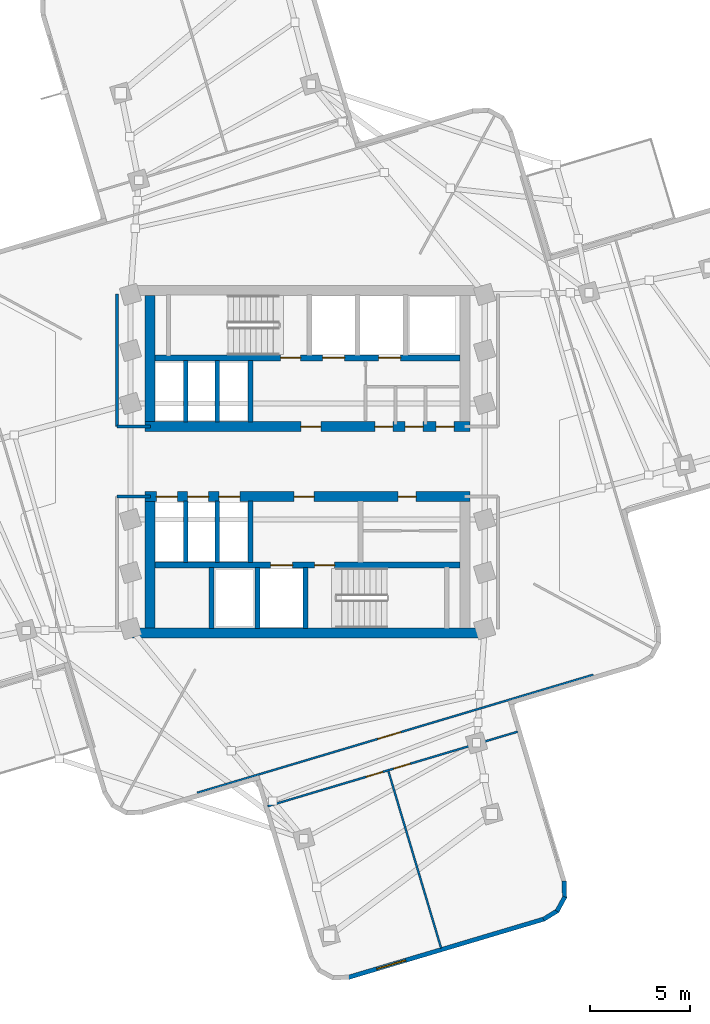
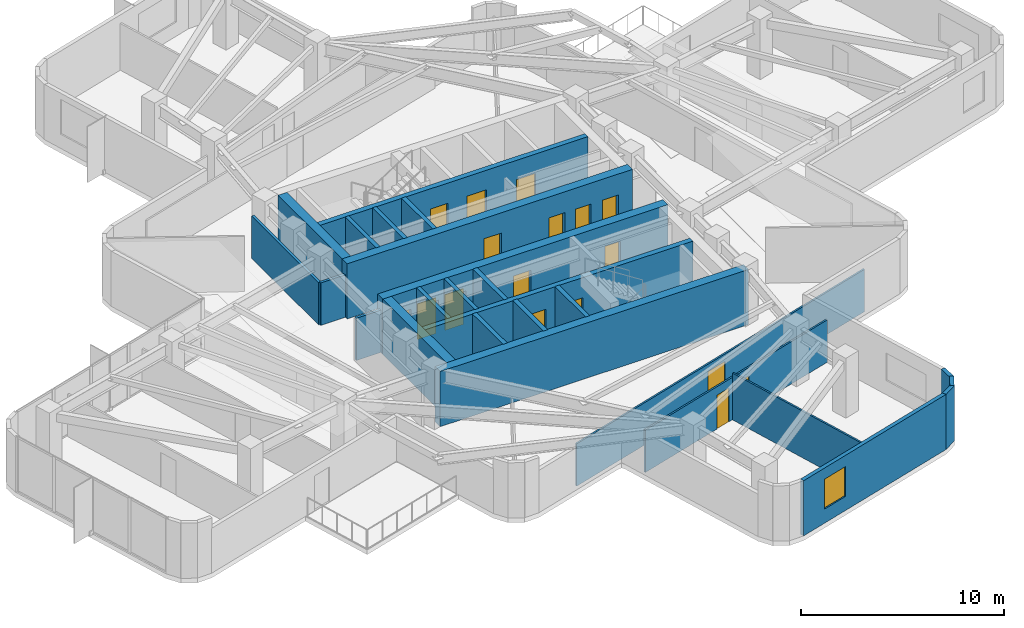
# One storey, part 6 of 11: 26 walls, 17 doors, 1 window, 18 openings.
"""IFC4 building model written with IfcOpenShell, lengths in metres."""

from ifc_helpers import new_model, si_unit, direction, frame, frame_2d, origin, place, context, subcontext, project, spatial, rectangle, extrude, material, layer, layer_set, type_object, element, fill, save


model = new_model("IFC4")

# Units and contexts
model_context = context("Model", 3, precision=1e-05, world=origin(), true_north=direction((0.0, 1.0)))
body_context = subcontext(model_context, "Body", "Model", "MODEL_VIEW")
ifc_project = project(units=[si_unit("LENGTHUNIT", "METRE"), si_unit("AREAUNIT", "SQUARE_METRE"), si_unit("VOLUMEUNIT", "CUBIC_METRE"), si_unit("PLANEANGLEUNIT", "RADIAN"), si_unit("MASSUNIT", "GRAM", prefix="KILO")], contexts=[model_context])

# Site, building, storey
site_placement = place(None, origin())
site = spatial("IfcSite", under=ifc_project, at=site_placement, CompositionType="ELEMENT")
building_placement = place(site_placement, origin())
building = spatial("IfcBuilding", under=site, at=building_placement, Name="Solmarez Civic Tower", CompositionType="ELEMENT")
storey_placement = place(building_placement, frame((0.0, 0.0, 141.47998046875)))
storey = spatial("IfcBuildingStorey", under=building, at=storey_placement, Name="L37", CompositionType="ELEMENT", Elevation=141.47998046875)

# Wall, openings, doors
ifc_material_1 = material(Name="Concrete C60/75", Category="concrete")
ifc_layer_1 = layer(ifc_material_1, 0.5)
ifc_layer_set_1 = layer_set([ifc_layer_1], Name="Concrete C60/75")
wall_type_1 = type_object("IfcWallType", Name="WALL-CORE-500", PredefinedType="SHEAR", material=ifc_layer_set_1)
wall_1_placement = place(storey_placement, frame((8.1201171875, 1.75, 0.0), z_axis=(0.0, 0.0, 1.0), x_axis=(-1.0, 0.0, 0.0)))
wall_1 = element("IfcWall", 1, at=wall_1_placement, inside=storey, type_object=wall_type_1, Name="L37 Split-Core Structural Wall NCW-S-L37", PredefinedType="SHEAR", context=body_context, shape_type="SweptSolid", body=[
    extrude(rectangle(XDim=16.240234375, YDim=0.5, at=frame_2d((8.1201171875, 0.0))), origin(), (0.0, 0.0, 1.0), 3.320068359375),
])
opening_1_placement = place(wall_1_placement, frame((7.449951171875, 0.0, 0.0)))
opening_1 = element("IfcOpeningElement", 2, at=opening_1_placement, cuts=wall_1, Name="Opening D-04", PredefinedType="OPENING", context=body_context, shape_type="SweptSolid", body=[
    extrude(rectangle(XDim=1.0, YDim=2.10009765625, at=frame_2d((0.5, 1.050048828125))), frame((0.0, 0.260009765625, 0.0), z_axis=(0.0, -1.0, 0.0), x_axis=(1.0, 0.0, 0.0)), (0.0, 0.0, 1.0), 0.52001953125),
])
opening_2_placement = place(wall_1_placement, frame((3.85009765625, 0.0, 0.0)))
opening_2 = element("IfcOpeningElement", 3, at=opening_2_placement, cuts=wall_1, Name="Opening D-09", PredefinedType="OPENING", context=body_context, shape_type="SweptSolid", body=[
    extrude(rectangle(XDim=0.89990234375, YDim=2.06005859375, at=frame_2d((0.449951171875, 1.030029296875))), frame((0.0, 0.260009765625, 0.0), z_axis=(0.0, -1.0, 0.0), x_axis=(1.0, 0.0, 0.0)), (0.0, 0.0, 1.0), 0.52001953125),
])
opening_3_placement = place(wall_1_placement, frame((2.35009765625, 0.0, 0.0)))
opening_3 = element("IfcOpeningElement", 4, at=opening_3_placement, cuts=wall_1, Name="Opening D-09", PredefinedType="OPENING", context=body_context, shape_type="SweptSolid", body=[
    extrude(rectangle(XDim=0.89990234375, YDim=2.06005859375, at=frame_2d((0.449951171875, 1.030029296875))), frame((0.0, 0.260009765625, 0.0), z_axis=(0.0, -1.0, 0.0), x_axis=(1.0, 0.0, 0.0)), (0.0, 0.0, 1.0), 0.52001953125),
])
opening_4_placement = place(wall_1_placement, frame((0.800048828125, 0.0, 0.0)))
opening_4 = element("IfcOpeningElement", 5, at=opening_4_placement, cuts=wall_1, Name="Opening D-09", PredefinedType="OPENING", context=body_context, shape_type="SweptSolid", body=[
    extrude(rectangle(XDim=0.89990234375, YDim=2.06005859375, at=frame_2d((0.449951171875, 1.030029296875))), frame((0.0, 0.260009765625, 0.0), z_axis=(0.0, -1.0, 0.0), x_axis=(1.0, 0.0, 0.0)), (0.0, 0.0, 1.0), 0.52001953125),
])
ifc_material_2 = material(Name="Steel-Faced Acoustic Fire Door", Category="steel")
door_type_1 = type_object("IfcDoorType", Name="DOOR-FD60-1000", OperationType="NOTDEFINED", PredefinedType="DOOR", material=ifc_material_2)
door_1_placement = place(opening_1_placement, origin())
door_1 = element("IfcDoor", 6, at=door_1_placement, inside=storey, type_object=door_type_1, Name="L37 North Firefighting Lobby Door", OperationType="SINGLE_SWING_RIGHT", OverallHeight=2.10009765625, OverallWidth=1.0, PredefinedType="DOOR", context=body_context, shape_type="SweptSolid", body=[
    extrude(rectangle(XDim=1.0, YDim=2.10009765625, at=frame_2d((0.5, 1.050048828125))), frame((0.0, 0.02490234375, 0.0), z_axis=(0.0, -1.0, 0.0), x_axis=(1.0, 0.0, 0.0)), (0.0, 0.0, 1.0), 0.050048828125),
])
fill(opening_1, door_1)
ifc_material_3 = material(Name="Fire-Rated Service Core Door", Category="wood")
door_type_2 = type_object("IfcDoorType", Name="DOOR-FD60-900", OperationType="NOTDEFINED", PredefinedType="DOOR", material=ifc_material_3)
door_2_placement = place(opening_2_placement, origin())
door_2 = element("IfcDoor", 7, at=door_2_placement, inside=storey, type_object=door_type_2, Name="L37 Core WC Door", OperationType="SINGLE_SWING_RIGHT", OverallHeight=2.06005859375, OverallWidth=0.89990234375, PredefinedType="DOOR", context=body_context, shape_type="SweptSolid", body=[
    extrude(rectangle(XDim=0.89990234375, YDim=2.06005859375, at=frame_2d((0.449951171875, 1.030029296875))), frame((0.0, 0.02490234375, 0.0), z_axis=(0.0, -1.0, 0.0), x_axis=(1.0, 0.0, 0.0)), (0.0, 0.0, 1.0), 0.050048828125),
])
fill(opening_2, door_2)
door_3_placement = place(opening_3_placement, origin())
door_3 = element("IfcDoor", 8, at=door_3_placement, inside=storey, type_object=door_type_2, Name="L37 Core CL Door", OperationType="SINGLE_SWING_LEFT", OverallHeight=2.06005859375, OverallWidth=0.89990234375, PredefinedType="DOOR", context=body_context, shape_type="SweptSolid", body=[
    extrude(rectangle(XDim=0.89990234375, YDim=2.06005859375, at=frame_2d((0.449951171875, 1.030029296875))), frame((0.0, 0.02490234375, 0.0), z_axis=(0.0, -1.0, 0.0), x_axis=(1.0, 0.0, 0.0)), (0.0, 0.0, 1.0), 0.050048828125),
])
fill(opening_3, door_3)
door_4_placement = place(opening_4_placement, origin())
door_4 = element("IfcDoor", 9, at=door_4_placement, inside=storey, type_object=door_type_2, Name="L37 Core IT Door", OperationType="SINGLE_SWING_LEFT", OverallHeight=2.06005859375, OverallWidth=0.89990234375, PredefinedType="DOOR", context=body_context, shape_type="SweptSolid", body=[
    extrude(rectangle(XDim=0.89990234375, YDim=2.06005859375, at=frame_2d((0.449951171875, 1.030029296875))), frame((0.0, 0.02490234375, 0.0), z_axis=(0.0, -1.0, 0.0), x_axis=(1.0, 0.0, 0.0)), (0.0, 0.0, 1.0), 0.050048828125),
])
fill(opening_4, door_4)

# Walls
wall_2_placement = place(storey_placement, frame((-7.8701171875, 2.0, 0.0), z_axis=(0.0, 0.0, 1.0), x_axis=(0.0, 1.0, 0.0)))
element("IfcWall", 10, at=wall_2_placement, inside=storey, type_object=wall_type_1, Name="L37 Split-Core Structural Wall NCW-W-L37", PredefinedType="SHEAR", context=body_context, shape_type="SweptSolid", body=[
    extrude(rectangle(XDim=6.31005859375, YDim=0.5, at=frame_2d((3.155029296875, 0.0))), origin(), (0.0, 0.0, 1.0), 3.320068359375),
])
wall_3_placement = place(storey_placement, frame((8.780029296875, -8.56005859375, 0.0), z_axis=(0.0, 0.0, 1.0), x_axis=(-1.0, 0.0, 0.0)))
element("IfcWall", 11, at=wall_3_placement, inside=storey, type_object=wall_type_1, Name="L37 Split-Core Structural Wall SCW-S-L37", PredefinedType="SHEAR", context=body_context, shape_type="SweptSolid", body=[
    extrude(rectangle(XDim=17.56005859375, YDim=0.5, at=frame_2d((8.780029296875, 0.0))), origin(), (0.0, 0.0, 1.0), 3.320068359375),
])

# Wall, openings, doors
wall_4_placement = place(storey_placement, frame((-8.1201171875, -1.75, 0.0), z_axis=(0.0, 0.0, 1.0), x_axis=(1.0, 0.0, 0.0)))
wall_4 = element("IfcWall", 12, at=wall_4_placement, inside=storey, type_object=wall_type_1, Name="L37 Split-Core Structural Wall SCW-N-L37", PredefinedType="SHEAR", context=body_context, shape_type="SweptSolid", body=[
    extrude(rectangle(XDim=16.240234375, YDim=0.5, at=frame_2d((8.1201171875, 0.0))), origin(), (0.0, 0.0, 1.0), 3.320068359375),
])
opening_5_placement = place(wall_4_placement, frame((7.449951171875, 0.0, 0.0)))
opening_5 = element("IfcOpeningElement", 13, at=opening_5_placement, cuts=wall_4, Name="Opening D-04", PredefinedType="OPENING", context=body_context, shape_type="SweptSolid", body=[
    extrude(rectangle(XDim=1.0, YDim=2.10009765625, at=frame_2d((0.5, 1.050048828125))), frame((0.0, 0.260009765625, 0.0), z_axis=(0.0, -1.0, 0.0), x_axis=(1.0, 0.0, 0.0)), (0.0, 0.0, 1.0), 0.52001953125),
])
opening_6_placement = place(wall_4_placement, frame((12.64990234375, 0.0, 0.0)))
opening_6 = element("IfcOpeningElement", 14, at=opening_6_placement, cuts=wall_4, Name="Opening D-09", PredefinedType="OPENING", context=body_context, shape_type="SweptSolid", body=[
    extrude(rectangle(XDim=0.89990234375, YDim=2.06005859375, at=frame_2d((0.449951171875, 1.030029296875))), frame((0.0, 0.260009765625, 0.0), z_axis=(0.0, -1.0, 0.0), x_axis=(1.0, 0.0, 0.0)), (0.0, 0.0, 1.0), 0.52001953125),
])
opening_7_placement = place(wall_4_placement, frame((0.56494140625, 0.0, 0.0)))
opening_7 = element("IfcOpeningElement", 15, at=opening_7_placement, cuts=wall_4, Name="Opening LD-01", PredefinedType="OPENING", context=body_context, shape_type="SweptSolid", body=[
    extrude(rectangle(XDim=1.050048828125, YDim=2.14990234375, at=frame_2d((0.52490234375, 1.074951171875))), frame((0.0, 0.260009765625, 0.0), z_axis=(0.0, -1.0, 0.0), x_axis=(1.0, 0.0, 0.0)), (0.0, 0.0, 1.0), 0.52001953125),
])
opening_8_placement = place(wall_4_placement, frame((2.125, 0.0, 0.0)))
opening_8 = element("IfcOpeningElement", 16, at=opening_8_placement, cuts=wall_4, Name="Opening LD-01", PredefinedType="OPENING", context=body_context, shape_type="SweptSolid", body=[
    extrude(rectangle(XDim=1.050048828125, YDim=2.14990234375, at=frame_2d((0.52490234375, 1.074951171875))), frame((0.0, 0.260009765625, 0.0), z_axis=(0.0, -1.0, 0.0), x_axis=(1.0, 0.0, 0.0)), (0.0, 0.0, 1.0), 0.52001953125),
])
opening_9_placement = place(wall_4_placement, frame((3.68505859375, 0.0, 0.0)))
opening_9 = element("IfcOpeningElement", 17, at=opening_9_placement, cuts=wall_4, Name="Opening LD-01", PredefinedType="OPENING", context=body_context, shape_type="SweptSolid", body=[
    extrude(rectangle(XDim=1.050048828125, YDim=2.14990234375, at=frame_2d((0.52490234375, 1.074951171875))), frame((0.0, 0.260009765625, 0.0), z_axis=(0.0, -1.0, 0.0), x_axis=(1.0, 0.0, 0.0)), (0.0, 0.0, 1.0), 0.52001953125),
])
door_5_placement = place(opening_5_placement, origin())
door_5 = element("IfcDoor", 18, at=door_5_placement, inside=storey, type_object=door_type_1, Name="L37 South Firefighting Lobby Door", OperationType="SINGLE_SWING_LEFT", OverallHeight=2.10009765625, OverallWidth=1.0, PredefinedType="DOOR", context=body_context, shape_type="SweptSolid", body=[
    extrude(rectangle(XDim=1.0, YDim=2.10009765625, at=frame_2d((0.5, 1.050048828125))), frame((0.0, 0.02490234375, 0.0), z_axis=(0.0, -1.0, 0.0), x_axis=(1.0, 0.0, 0.0)), (0.0, 0.0, 1.0), 0.050048828125),
])
fill(opening_5, door_5)
door_6_placement = place(opening_6_placement, origin())
door_6 = element("IfcDoor", 19, at=door_6_placement, inside=storey, type_object=door_type_2, Name="L37 Freed Hoistway Mailroom Door", OperationType="SINGLE_SWING_LEFT", OverallHeight=2.06005859375, OverallWidth=0.89990234375, PredefinedType="DOOR", context=body_context, shape_type="SweptSolid", body=[
    extrude(rectangle(XDim=0.89990234375, YDim=2.06005859375, at=frame_2d((0.449951171875, 1.030029296875))), frame((0.0, 0.02490234375, 0.0), z_axis=(0.0, -1.0, 0.0), x_axis=(1.0, 0.0, 0.0)), (0.0, 0.0, 1.0), 0.050048828125),
])
fill(opening_6, door_6)
ifc_material_4 = material(Name="Bronze Passenger Lift Landing Sliding Door", Category="aluminium")
door_type_3 = type_object("IfcDoorType", Name="DOOR-LD-PAX-1050", OperationType="DOUBLE_DOOR_SLIDING", PredefinedType="DOOR", material=ifc_material_4)
door_7_placement = place(opening_7_placement, origin())
door_7 = element("IfcDoor", 20, at=door_7_placement, inside=storey, type_object=door_type_3, Name="L37 Mid-Rise Lift Landing Door PL-M1", OperationType="DOUBLE_DOOR_SLIDING", OverallHeight=2.14990234375, OverallWidth=1.050048828125, PredefinedType="DOOR", context=body_context, shape_type="SweptSolid", body=[
    extrude(rectangle(XDim=1.050048828125, YDim=2.14990234375, at=frame_2d((0.52490234375, 1.074951171875))), frame((0.0, 0.02490234375, 0.0), z_axis=(0.0, -1.0, 0.0), x_axis=(1.0, 0.0, 0.0)), (0.0, 0.0, 1.0), 0.050048828125),
])
fill(opening_7, door_7)
door_8_placement = place(opening_8_placement, origin())
door_8 = element("IfcDoor", 21, at=door_8_placement, inside=storey, type_object=door_type_3, Name="L37 Mid-Rise Lift Landing Door PL-M2", OperationType="DOUBLE_DOOR_SLIDING", OverallHeight=2.14990234375, OverallWidth=1.050048828125, PredefinedType="DOOR", context=body_context, shape_type="SweptSolid", body=[
    extrude(rectangle(XDim=1.050048828125, YDim=2.14990234375, at=frame_2d((0.52490234375, 1.074951171875))), frame((0.0, 0.02490234375, 0.0), z_axis=(0.0, -1.0, 0.0), x_axis=(1.0, 0.0, 0.0)), (0.0, 0.0, 1.0), 0.050048828125),
])
fill(opening_8, door_8)
door_9_placement = place(opening_9_placement, origin())
door_9 = element("IfcDoor", 22, at=door_9_placement, inside=storey, type_object=door_type_3, Name="L37 Mid-Rise Lift Landing Door PL-M3", OperationType="DOUBLE_DOOR_SLIDING", OverallHeight=2.14990234375, OverallWidth=1.050048828125, PredefinedType="DOOR", context=body_context, shape_type="SweptSolid", body=[
    extrude(rectangle(XDim=1.050048828125, YDim=2.14990234375, at=frame_2d((0.52490234375, 1.074951171875))), frame((0.0, 0.02490234375, 0.0), z_axis=(0.0, -1.0, 0.0), x_axis=(1.0, 0.0, 0.0)), (0.0, 0.0, 1.0), 0.050048828125),
])
fill(opening_9, door_9)

# Walls
wall_5_placement = place(storey_placement, frame((-7.8701171875, -8.31005859375, 0.0), z_axis=(0.0, 0.0, 1.0), x_axis=(0.0, 1.0, 0.0)))
element("IfcWall", 23, at=wall_5_placement, inside=storey, type_object=wall_type_1, Name="L37 Split-Core Structural Wall SCW-W-L37", PredefinedType="SHEAR", context=body_context, shape_type="SweptSolid", body=[
    extrude(rectangle(XDim=6.31005859375, YDim=0.5, at=frame_2d((3.155029296875, 0.0))), origin(), (0.0, 0.0, 1.0), 3.320068359375),
])
ifc_material_5 = material(Name="Precast concrete C40/50", Category="concrete")
ifc_layer_2 = layer(ifc_material_5, 0.219970703125)
ifc_layer_set_2 = layer_set([ifc_layer_2], Name="Precast concrete C40/50")
wall_type_2 = type_object("IfcWallType", Name="WALL-EXT-220", PredefinedType="SOLIDWALL", material=ifc_layer_set_2)
wall_6_placement = place(storey_placement, frame((12.822021484375, -20.971923828125, 0.0), z_axis=(0.0, 0.0, 1.0), x_axis=(0.028676726094, -0.999588738122, 0.0)))
element("IfcWall", 24, at=wall_6_placement, inside=storey, type_object=wall_type_2, Name="L37 Exterior Precast Wall 57", PredefinedType="SOLIDWALL", context=body_context, shape_type="SweptSolid", body=[
    extrude(rectangle(XDim=0.834228515625, YDim=0.219970703125, at=frame_2d((0.4169921875, 0.0))), origin(), (0.0, 0.0, 1.0), 3.320068359375),
])
wall_7_placement = place(storey_placement, frame((12.85693359375, -21.759033203125, 0.0), z_axis=(0.0, 0.0, 1.0), x_axis=(-0.47569769932, -0.879608832869, 0.0)))
element("IfcWall", 25, at=wall_7_placement, inside=storey, type_object=wall_type_2, Name="L37 Exterior Precast Wall 58", PredefinedType="SOLIDWALL", context=body_context, shape_type="SweptSolid", body=[
    extrude(rectangle(XDim=0.819580078125, YDim=0.219970703125, at=frame_2d((0.40966796875, 0.0))), origin(), (0.0, 0.0, 1.0), 3.320068359375),
])
wall_8_placement = place(storey_placement, frame((12.5, -22.445068359375, 0.0), z_axis=(0.0, 0.0, 1.0), x_axis=(-0.851597982144, -0.524195456684, 0.0)))
element("IfcWall", 26, at=wall_8_placement, inside=storey, type_object=wall_type_2, Name="L37 Exterior Precast Wall 59", PredefinedType="SOLIDWALL", context=body_context, shape_type="SweptSolid", body=[
    extrude(rectangle(XDim=0.833740234375, YDim=0.219970703125, at=frame_2d((0.4169921875, 0.0))), origin(), (0.0, 0.0, 1.0), 3.320068359375),
])

# Wall, opening, window
wall_9_placement = place(storey_placement, frame((11.8349609375, -22.862060546875, 0.0), z_axis=(0.0, 0.0, 1.0), x_axis=(-0.958339179484, -0.285632661063, 0.0)))
wall_9 = element("IfcWall", 27, at=wall_9_placement, inside=storey, type_object=wall_type_2, Name="L37 Exterior Precast Wall 60", PredefinedType="SOLIDWALL", context=body_context, shape_type="SweptSolid", body=[
    extrude(rectangle(XDim=10.240478515625, YDim=0.219970703125, at=frame_2d((5.1201171875, 0.0))), origin(), (0.0, 0.0, 1.0), 3.320068359375),
])
opening_10_placement = place(wall_9_placement, frame((7.238037109375, 0.0, 0.85009765625)))
opening_10 = element("IfcOpeningElement", 28, at=opening_10_placement, cuts=wall_9, Name="Opening W-13", PredefinedType="OPENING", context=body_context, shape_type="SweptSolid", body=[
    extrude(rectangle(XDim=1.5, YDim=1.800048828125, at=frame_2d((0.75, 0.89990234375))), frame((0.0, 0.119873046875, 0.0), z_axis=(0.0, -1.0, 0.0), x_axis=(1.0, 0.0, 0.0)), (0.0, 0.0, 1.0), 0.239990234375),
])
ifc_material_6 = material(Name="Solar Control Bronze-Tinted Insulating Glass", Category="glass")
window_type = type_object("IfcWindowType", Name="WIN-1500X1800", PartitioningType="SINGLE_PANEL", PredefinedType="WINDOW", material=ifc_material_6)
window_placement = place(opening_10_placement, origin())
window = element("IfcWindow", 29, at=window_placement, inside=storey, type_object=window_type, Name="L37 Exterior Facade Window 60", OverallHeight=1.800048828125, OverallWidth=1.5, PartitioningType="SINGLE_PANEL", PredefinedType="WINDOW", context=body_context, shape_type="SweptSolid", body=[
    extrude(rectangle(XDim=1.5, YDim=1.800048828125, at=frame_2d((0.75, 0.89990234375))), frame((0.0, 0.030029296875, 0.0), z_axis=(0.0, -1.0, 0.0), x_axis=(1.0, 0.0, 0.0)), (0.0, 0.0, 1.0), 0.06005859375),
])
fill(opening_10, window)

# Walls
ifc_material_7 = material(Name="Gypsum Board Acoustic Steel-Stud Partition", Category="steel")
ifc_layer_3 = layer(ifc_material_7, 0.14990234375)
ifc_layer_set_3 = layer_set([ifc_layer_3], Name="Gypsum Board Acoustic Steel-Stud Partition")
wall_type_3 = type_object("IfcWallType", Name="WALL-INT-FIRE-150", PredefinedType="PARTITIONING", material=ifc_layer_set_3)
wall_10_placement = place(storey_placement, frame((-9.52001953125, 1.75, 0.0), z_axis=(0.0, 0.0, 1.0), x_axis=(0.0, 1.0, 0.0)))
element("IfcWall", 30, at=wall_10_placement, inside=storey, type_object=wall_type_3, Name="L37 Interior Partition CHW-L37-WN1", PredefinedType="PARTITIONING", context=body_context, shape_type="SweptSolid", body=[
    extrude(rectangle(XDim=6.6298828125, YDim=0.14990234375, at=frame_2d((3.31494140625, 0.0))), origin(), (0.0, 0.0, 1.0), 2.550048828125),
])
for number, where, z_axis, x_axis, name in (
    (31, (-7.85009765625, 1.75, 0.0), (0.0, 0.0, 1.0), (-1.0, 0.0, 0.0), "L37 Interior Partition CHW-L37-WN3"),
    (32, (-7.85009765625, -1.75, 0.0), (0.0, 0.0, 1.0), (-1.0, 0.0, 0.0), "L37 Interior Partition CHW-L37-WS3"),
):
    element("IfcWall", number, at=place(storey_placement, frame(where, z_axis=z_axis, x_axis=x_axis)), inside=storey, type_object=wall_type_3, Name=name, PredefinedType="PARTITIONING", context=body_context, shape_type="SweptSolid", body=[
        extrude(rectangle(XDim=1.669921875, YDim=0.14990234375, at=frame_2d((0.8349609375, 0.0))), origin(), (0.0, 0.0, 1.0), 2.550048828125),
    ])

# Wall, opening, door
ifc_layer_4 = layer(ifc_material_7, 0.10009765625)
ifc_layer_set_4 = layer_set([ifc_layer_4], Name="Gypsum Board Acoustic Steel-Stud Partition")
wall_type_4 = type_object("IfcWallType", Name="WALL-INT-PART-100", PredefinedType="PARTITIONING", material=ifc_layer_set_4)
wall_11_placement = place(storey_placement, frame((14.279052734375, -10.655029296875, 0.0), z_axis=(0.0, 0.0, 1.0), x_axis=(-0.958329257389, -0.285665949025, 0.0)))
wall_11 = element("IfcWall", 33, at=wall_11_placement, inside=storey, type_object=wall_type_4, Name="L37 Interior Partition PT-L37-S-ENT", PredefinedType="PARTITIONING", context=body_context, shape_type="SweptSolid", body=[
    extrude(rectangle(XDim=20.659912109375, YDim=0.10009765625, at=frame_2d((10.330078125, 0.0))), origin(), (0.0, 0.0, 1.0), 2.550048828125),
])
opening_11_placement = place(wall_11_placement, frame((10.0400390625, 0.0, 0.0)))
opening_11 = element("IfcOpeningElement", 34, at=opening_11_placement, cuts=wall_11, Name="Opening D-11", PredefinedType="OPENING", context=body_context, shape_type="SweptSolid", body=[
    extrude(rectangle(XDim=1.199951171875, YDim=2.10009765625, at=frame_2d((0.60009765625, 1.050048828125))), frame((0.0, 0.06005859375, 0.0), z_axis=(0.0, -1.0, 0.0), x_axis=(1.0, 0.0, 0.0)), (0.0, 0.0, 1.0), 0.1201171875),
])
ifc_material_8 = material(Name="Glazed-Vision Acoustic Chamber Door", Category="wood")
door_type_4 = type_object("IfcDoorType", Name="DOOR-INT-1200", OperationType="NOTDEFINED", PredefinedType="DOOR", material=ifc_material_8)
door_10_placement = place(opening_11_placement, origin())
door_10 = element("IfcDoor", 35, at=door_10_placement, inside=storey, type_object=door_type_4, Name="L37 Legal Counselling Room First South Door", OperationType="SINGLE_SWING_LEFT", OverallHeight=2.10009765625, OverallWidth=1.199951171875, PredefinedType="DOOR", context=body_context, shape_type="SweptSolid", body=[
    extrude(rectangle(XDim=1.199951171875, YDim=2.10009765625, at=frame_2d((0.60009765625, 1.050048828125))), frame((0.0, 0.02490234375, 0.0), z_axis=(0.0, -1.0, 0.0), x_axis=(1.0, 0.0, 0.0)), (0.0, 0.0, 1.0), 0.050048828125),
])
fill(opening_11, door_10)

# Wall
wall_12_placement = place(storey_placement, frame((4.0439453125, -15.489990234375, 0.0), z_axis=(0.0, 0.0, 1.0), x_axis=(0.285631393534, -0.95833955727, 0.0)))
element("IfcWall", 36, at=wall_12_placement, inside=storey, type_object=wall_type_4, Name="L37 Interior Partition PT-L37-S-TSP", PredefinedType="PARTITIONING", context=body_context, shape_type="SweptSolid", body=[
    extrude(rectangle(XDim=9.21484375, YDim=0.10009765625, at=frame_2d((4.607421875, 0.0))), origin(), (0.0, 0.0, 1.0), 2.81201171875),
])

# Wall, openings, doors
wall_13_placement = place(storey_placement, frame((-1.99609375, -17.22802734375, 0.0), z_axis=(0.0, 0.0, 1.0), x_axis=(0.958326854981, 0.285674008308, 0.0)))
wall_13 = element("IfcWall", 37, at=wall_13_placement, inside=storey, type_object=wall_type_4, Name="L37 Interior Partition PT-L37-S-SCUT", PredefinedType="PARTITIONING", context=body_context, shape_type="SweptSolid", body=[
    extrude(rectangle(XDim=13.050048828125, YDim=0.10009765625, at=frame_2d((6.52490234375, 0.0))), origin(), (0.0, 0.0, 1.0), 2.550048828125),
])
opening_12_placement = place(wall_13_placement, frame((5.135009765625, 0.0, 0.0)))
opening_12 = element("IfcOpeningElement", 38, at=opening_12_placement, cuts=wall_13, Name="Opening D-14", PredefinedType="OPENING", context=body_context, shape_type="SweptSolid", body=[
    extrude(rectangle(XDim=0.860107421875, YDim=2.0400390625, at=frame_2d((0.43017578125, 1.02001953125))), frame((0.0, 0.06005859375, 0.0), z_axis=(0.0, -1.0, 0.0), x_axis=(1.0, 0.0, 0.0)), (0.0, 0.0, 1.0), 0.1201171875),
])
opening_13_placement = place(wall_13_placement, frame((6.574951171875, 0.0, 0.0)))
opening_13 = element("IfcOpeningElement", 39, at=opening_13_placement, cuts=wall_13, Name="Opening D-14", PredefinedType="OPENING", context=body_context, shape_type="SweptSolid", body=[
    extrude(rectangle(XDim=0.860107421875, YDim=2.0400390625, at=frame_2d((0.43017578125, 1.02001953125))), frame((0.0, 0.06005859375, 0.0), z_axis=(0.0, -1.0, 0.0), x_axis=(1.0, 0.0, 0.0)), (0.0, 0.0, 1.0), 0.1201171875),
])
ifc_material_9 = material(Name="Timber Storage and Pantry Door", Category="wood")
door_type_5 = type_object("IfcDoorType", Name="DOOR-INT-850", OperationType="NOTDEFINED", PredefinedType="DOOR", material=ifc_material_9)
door_11_placement = place(opening_12_placement, origin())
door_11 = element("IfcDoor", 40, at=door_11_placement, inside=storey, type_object=door_type_5, Name="L37 Policy Administration Office Third South Door", OperationType="SINGLE_SWING_RIGHT", OverallHeight=2.0400390625, OverallWidth=0.860107421875, PredefinedType="DOOR", context=body_context, shape_type="SweptSolid", body=[
    extrude(rectangle(XDim=0.860107421875, YDim=2.0400390625, at=frame_2d((0.43017578125, 1.02001953125))), frame((0.0, 0.02490234375, 0.0), z_axis=(0.0, -1.0, 0.0), x_axis=(1.0, 0.0, 0.0)), (0.0, 0.0, 1.0), 0.050048828125),
])
fill(opening_12, door_11)
door_12_placement = place(opening_13_placement, origin())
door_12 = element("IfcDoor", 41, at=door_12_placement, inside=storey, type_object=door_type_5, Name="L37 Citizen Consultation Room Second South Door", OperationType="SINGLE_SWING_LEFT", OverallHeight=2.0400390625, OverallWidth=0.860107421875, PredefinedType="DOOR", context=body_context, shape_type="SweptSolid", body=[
    extrude(rectangle(XDim=0.860107421875, YDim=2.0400390625, at=frame_2d((0.43017578125, 1.02001953125))), frame((0.0, 0.02490234375, 0.0), z_axis=(0.0, -1.0, 0.0), x_axis=(1.0, 0.0, 0.0)), (0.0, 0.0, 1.0), 0.050048828125),
])
fill(opening_13, door_12)

ifc_material_10 = material(Name="Concrete C50/60", Category="concrete")
ifc_layer_5 = layer(ifc_material_10, 0.300048828125)
ifc_layer_set_5 = layer_set([ifc_layer_5], Name="Concrete C50/60")
wall_type_5 = type_object("IfcWallType", Name="WALL-STR-300", PredefinedType="SOLIDWALL", material=ifc_layer_set_5)
wall_14_placement = place(storey_placement, frame((7.6201171875, 5.179931640625, 0.0), z_axis=(0.0, 0.0, 1.0), x_axis=(-1.0, 0.0, 0.0)))
wall_14 = element("IfcWall", 42, at=wall_14_placement, inside=storey, type_object=wall_type_5, Name="L37 Split-Core Structural Wall NCW-M-L37", PredefinedType="SOLIDWALL", context=body_context, shape_type="SweptSolid", body=[
    extrude(rectangle(XDim=15.240234375, YDim=0.300048828125, at=frame_2d((7.6201171875, 0.0))), origin(), (0.0, 0.0, 1.0), 3.320068359375),
])
opening_14_placement = place(wall_14_placement, frame((5.77001953125, 0.0, 0.0)))
opening_14 = element("IfcOpeningElement", 43, at=opening_14_placement, cuts=wall_14, Name="Opening LD-02", PredefinedType="OPENING", context=body_context, shape_type="SweptSolid", body=[
    extrude(rectangle(XDim=1.10009765625, YDim=2.14990234375, at=frame_2d((0.550048828125, 1.074951171875))), frame((0.0, 0.159912109375, 0.0), z_axis=(0.0, -1.0, 0.0), x_axis=(1.0, 0.0, 0.0)), (0.0, 0.0, 1.0), 0.320068359375),
])
opening_15_placement = place(wall_14_placement, frame((2.969970703125, 0.0, 0.0)))
opening_15 = element("IfcOpeningElement", 44, at=opening_15_placement, cuts=wall_14, Name="Opening LD-03", PredefinedType="OPENING", context=body_context, shape_type="SweptSolid", body=[
    extrude(rectangle(XDim=1.10009765625, YDim=2.14990234375, at=frame_2d((0.550048828125, 1.074951171875))), frame((0.0, 0.159912109375, 0.0), z_axis=(0.0, -1.0, 0.0), x_axis=(1.0, 0.0, 0.0)), (0.0, 0.0, 1.0), 0.320068359375),
])
opening_16_placement = place(wall_14_placement, frame((7.969970703125, 0.0, 0.0)))
opening_16 = element("IfcOpeningElement", 45, at=opening_16_placement, cuts=wall_14, Name="Opening D-05", PredefinedType="OPENING", context=body_context, shape_type="SweptSolid", body=[
    extrude(rectangle(XDim=1.0, YDim=2.10009765625, at=frame_2d((0.5, 1.050048828125))), frame((0.0, 0.159912109375, 0.0), z_axis=(0.0, -1.0, 0.0), x_axis=(1.0, 0.0, 0.0)), (0.0, 0.0, 1.0), 0.320068359375),
])
ifc_material_11 = material(Name="Fire-Rated Stairwell Exit Door", Category="wood")
door_type_6 = type_object("IfcDoorType", Name="DOOR-FD90-1000", OperationType="NOTDEFINED", PredefinedType="DOOR", material=ifc_material_11)
door_13_placement = place(opening_16_placement, origin())
door_13 = element("IfcDoor", 46, at=door_13_placement, inside=storey, type_object=door_type_6, Name="L37 North Exit Stair Door ST-1", OperationType="SINGLE_SWING_RIGHT", OverallHeight=2.10009765625, OverallWidth=1.0, PredefinedType="DOOR", context=body_context, shape_type="SweptSolid", body=[
    extrude(rectangle(XDim=1.0, YDim=2.10009765625, at=frame_2d((0.5, 1.050048828125))), frame((0.0, 0.02490234375, 0.0), z_axis=(0.0, -1.0, 0.0), x_axis=(1.0, 0.0, 0.0)), (0.0, 0.0, 1.0), 0.050048828125),
])
fill(opening_16, door_13)
ifc_material_12 = material(Name="Stainless Firefighting Lift Landing Sliding Door", Category="aluminium")
door_type_7 = type_object("IfcDoorType", Name="DOOR-LD-FF-1100", OperationType="DOUBLE_DOOR_SLIDING", PredefinedType="DOOR", material=ifc_material_12)
door_14_placement = place(opening_14_placement, origin())
door_14 = element("IfcDoor", 47, at=door_14_placement, inside=storey, type_object=door_type_7, Name="L37 Firefighting Lift Landing Door FFL-1", OperationType="DOUBLE_DOOR_SLIDING", OverallHeight=2.14990234375, OverallWidth=1.10009765625, PredefinedType="DOOR", context=body_context, shape_type="SweptSolid", body=[
    extrude(rectangle(XDim=1.10009765625, YDim=2.14990234375, at=frame_2d((0.550048828125, 1.074951171875))), frame((0.0, 0.02490234375, 0.0), z_axis=(0.0, -1.0, 0.0), x_axis=(1.0, 0.0, 0.0)), (0.0, 0.0, 1.0), 0.050048828125),
])
fill(opening_14, door_14)
ifc_material_13 = material(Name="Stainless Stretcher Lift Landing Sliding Door", Category="aluminium")
door_type_8 = type_object("IfcDoorType", Name="DOOR-LD-SV-1100", OperationType="DOUBLE_DOOR_SLIDING", PredefinedType="DOOR", material=ifc_material_13)
door_15_placement = place(opening_15_placement, origin())
door_15 = element("IfcDoor", 48, at=door_15_placement, inside=storey, type_object=door_type_8, Name="L37 Service Stretcher Lift Landing Door SVL-1", OperationType="DOUBLE_DOOR_SLIDING", OverallHeight=2.14990234375, OverallWidth=1.10009765625, PredefinedType="DOOR", context=body_context, shape_type="SweptSolid", body=[
    extrude(rectangle(XDim=1.10009765625, YDim=2.14990234375, at=frame_2d((0.550048828125, 1.074951171875))), frame((0.0, 0.02490234375, 0.0), z_axis=(0.0, -1.0, 0.0), x_axis=(1.0, 0.0, 0.0)), (0.0, 0.0, 1.0), 0.050048828125),
])
fill(opening_15, door_15)

wall_15_placement = place(storey_placement, frame((-7.6201171875, -5.179931640625, 0.0), z_axis=(0.0, 0.0, 1.0), x_axis=(1.0, 0.0, 0.0)))
wall_15 = element("IfcWall", 49, at=wall_15_placement, inside=storey, type_object=wall_type_5, Name="L37 Split-Core Structural Wall SCW-M-L37", PredefinedType="SOLIDWALL", context=body_context, shape_type="SweptSolid", body=[
    extrude(rectangle(XDim=15.240234375, YDim=0.300048828125, at=frame_2d((7.6201171875, 0.0))), origin(), (0.0, 0.0, 1.0), 3.320068359375),
])
opening_17_placement = place(wall_15_placement, frame((5.77001953125, 0.0, 0.0)))
opening_17 = element("IfcOpeningElement", 50, at=opening_17_placement, cuts=wall_15, Name="Opening LD-02", PredefinedType="OPENING", context=body_context, shape_type="SweptSolid", body=[
    extrude(rectangle(XDim=1.10009765625, YDim=2.14990234375, at=frame_2d((0.550048828125, 1.074951171875))), frame((0.0, 0.159912109375, 0.0), z_axis=(0.0, -1.0, 0.0), x_axis=(1.0, 0.0, 0.0)), (0.0, 0.0, 1.0), 0.320068359375),
])
opening_18_placement = place(wall_15_placement, frame((7.969970703125, 0.0, 0.0)))
opening_18 = element("IfcOpeningElement", 51, at=opening_18_placement, cuts=wall_15, Name="Opening D-05", PredefinedType="OPENING", context=body_context, shape_type="SweptSolid", body=[
    extrude(rectangle(XDim=1.0, YDim=2.10009765625, at=frame_2d((0.5, 1.050048828125))), frame((0.0, 0.159912109375, 0.0), z_axis=(0.0, -1.0, 0.0), x_axis=(1.0, 0.0, 0.0)), (0.0, 0.0, 1.0), 0.320068359375),
])
door_16_placement = place(opening_18_placement, origin())
door_16 = element("IfcDoor", 52, at=door_16_placement, inside=storey, type_object=door_type_6, Name="L37 South Exit Stair Door ST-2", OperationType="SINGLE_SWING_LEFT", OverallHeight=2.10009765625, OverallWidth=1.0, PredefinedType="DOOR", context=body_context, shape_type="SweptSolid", body=[
    extrude(rectangle(XDim=1.0, YDim=2.10009765625, at=frame_2d((0.5, 1.050048828125))), frame((0.0, 0.02490234375, 0.0), z_axis=(0.0, -1.0, 0.0), x_axis=(1.0, 0.0, 0.0)), (0.0, 0.0, 1.0), 0.050048828125),
])
fill(opening_18, door_16)
door_17_placement = place(opening_17_placement, origin())
door_17 = element("IfcDoor", 53, at=door_17_placement, inside=storey, type_object=door_type_7, Name="L37 Firefighting Lift Landing Door FFL-2", OperationType="DOUBLE_DOOR_SLIDING", OverallHeight=2.14990234375, OverallWidth=1.10009765625, PredefinedType="DOOR", context=body_context, shape_type="SweptSolid", body=[
    extrude(rectangle(XDim=1.10009765625, YDim=2.14990234375, at=frame_2d((0.550048828125, 1.074951171875))), frame((0.0, 0.02490234375, 0.0), z_axis=(0.0, -1.0, 0.0), x_axis=(1.0, 0.0, 0.0)), (0.0, 0.0, 1.0), 0.050048828125),
])
fill(opening_17, door_17)

# Walls
wall_16_placement = place(storey_placement, frame((-2.85009765625, 1.97998046875, 0.0), z_axis=(0.0, 0.0, 1.0), x_axis=(0.0, 1.0, 0.0)))
element("IfcWall", 54, at=wall_16_placement, inside=storey, type_object=wall_type_5, Name="L37 Split-Core Structural Wall SHW-NL1-L37", PredefinedType="SOLIDWALL", context=body_context, shape_type="SweptSolid", body=[
    extrude(rectangle(XDim=3.070068359375, YDim=0.25, at=frame_2d((1.53515625, 0.0))), origin(), (0.0, 0.0, 1.0), 3.320068359375),
])
for number, where, z_axis, x_axis, name in (
    (55, (-0.10009765625, -8.340087890625, 0.0), (0.0, 0.0, 1.0), (0.0, 1.0, 0.0), "L37 Split-Core Structural Wall SHW-S1-L37"),
    (56, (-2.5, -8.340087890625, 0.0), (0.0, 0.0, 1.0), (0.0, 1.0, 0.0), "L37 Split-Core Structural Wall SHW-S2-L37"),
    (57, (-4.800048828125, -8.340087890625, 0.0), (0.0, 0.0, 1.0), (0.0, 1.0, 0.0), "L37 Split-Core Structural Wall SHW-S3-L37"),
):
    element("IfcWall", number, at=place(storey_placement, frame(where, z_axis=z_axis, x_axis=x_axis)), inside=storey, type_object=wall_type_5, Name=name, PredefinedType="SOLIDWALL", context=body_context, shape_type="SweptSolid", body=[
        extrude(rectangle(XDim=3.0400390625, YDim=0.25, at=frame_2d((1.52001953125, 0.0))), origin(), (0.0, 0.0, 1.0), 3.320068359375),
    ])
wall_17_placement = place(storey_placement, frame((-2.85009765625, -5.050048828125, 0.0), z_axis=(0.0, 0.0, 1.0), x_axis=(0.0, 1.0, 0.0)))
element("IfcWall", 58, at=wall_17_placement, inside=storey, type_object=wall_type_5, Name="L37 Split-Core Structural Wall SHW-SL1-L37", PredefinedType="SOLIDWALL", context=body_context, shape_type="SweptSolid", body=[
    extrude(rectangle(XDim=3.070068359375, YDim=0.25, at=frame_2d((1.53515625, 0.0))), origin(), (0.0, 0.0, 1.0), 3.320068359375),
])
for number, where, z_axis, x_axis, name in (
    (59, (-6.080078125, 1.97998046875, 0.0), (0.0, 0.0, 1.0), (0.0, 1.0, 0.0), "L37 Split-Core Structural Wall SHW-PLH-L37-1"),
    (60, (-4.52001953125, 1.97998046875, 0.0), (0.0, 0.0, 1.0), (0.0, 1.0, 0.0), "L37 Split-Core Structural Wall SHW-PLH-L37-2"),
    (61, (-6.080078125, -5.050048828125, 0.0), (0.0, 0.0, 1.0), (0.0, 1.0, 0.0), "L37 Split-Core Structural Wall SHW-PLM-L37-1"),
    (62, (-4.52001953125, -5.050048828125, 0.0), (0.0, 0.0, 1.0), (0.0, 1.0, 0.0), "L37 Split-Core Structural Wall SHW-PLM-L37-2"),
):
    element("IfcWall", number, at=place(storey_placement, frame(where, z_axis=z_axis, x_axis=x_axis)), inside=storey, type_object=wall_type_5, Name=name, PredefinedType="SOLIDWALL", context=body_context, shape_type="SweptSolid", body=[
        extrude(rectangle(XDim=3.070068359375, YDim=0.219970703125, at=frame_2d((1.53515625, 0.0))), origin(), (0.0, 0.0, 1.0), 3.320068359375),
    ])

save(model, "model.ifc")
